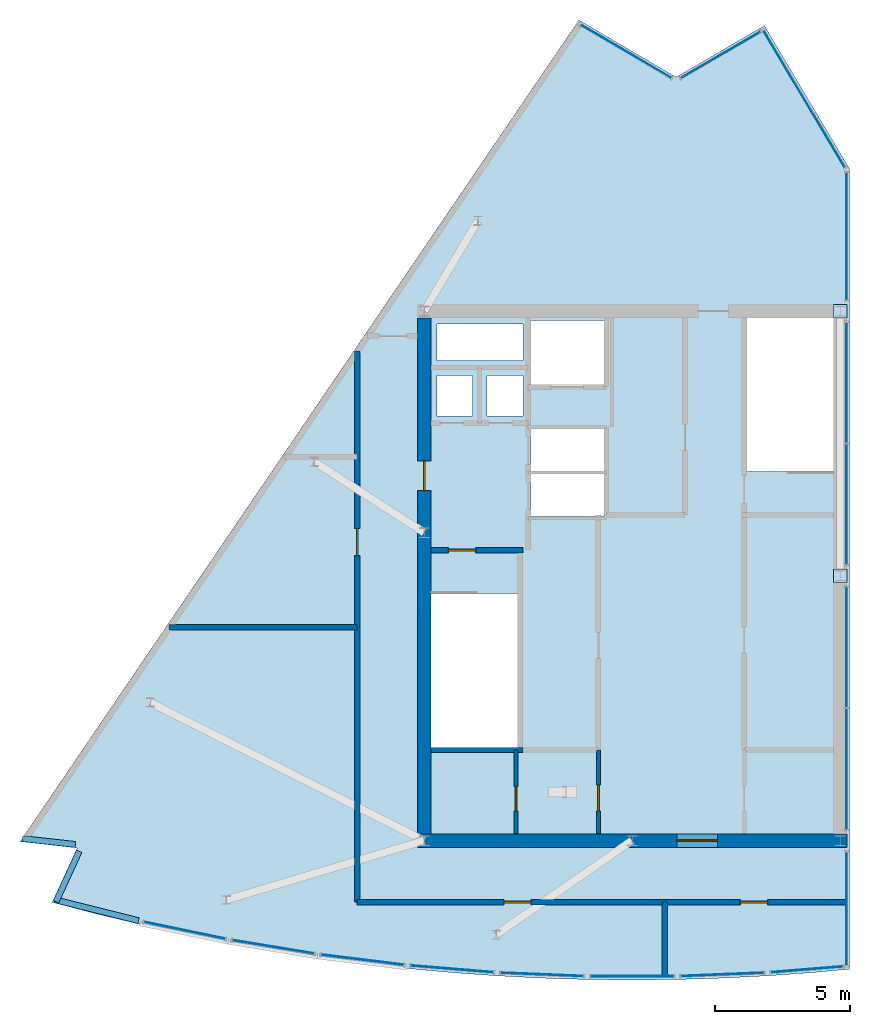
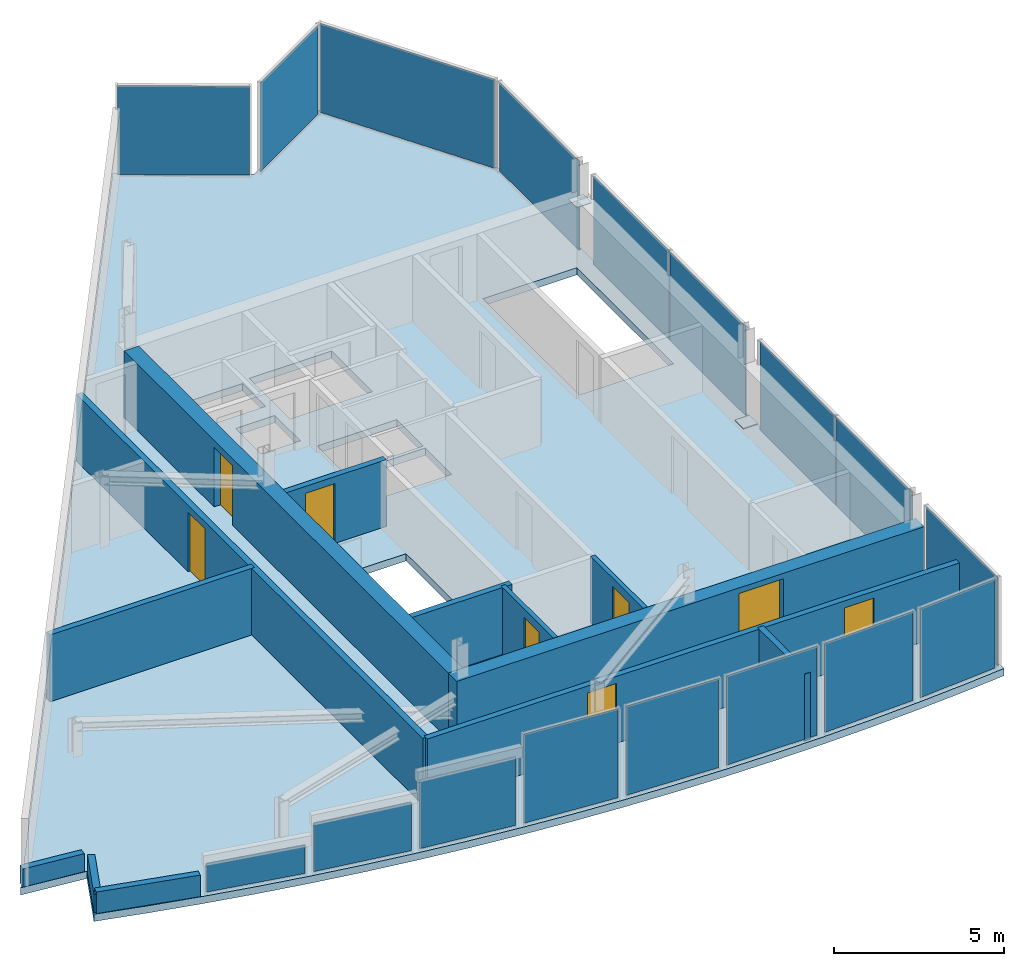
# One storey, part 4 of 7: 19 plates, 13 walls, 8 doors, 1 slab, 8 openings, 15 elements without a shape of their own.
"""IFC4 building model written with IfcOpenShell, lengths in metres."""

from ifc_helpers import new_model, si_unit, direction, frame, frame_2d, origin, origin_2d, place, context, subcontext, project, spatial, polyline, rectangle, outline, extrude, material, layer, layer_set, type_object, element, fill, aggregate, save


model = new_model("IFC4")

# Units and contexts
model_context = context("Model", 3, precision=1e-05, world=origin(), true_north=direction((0.0, 1.0)))
body_context = subcontext(model_context, "Body", "Model", "MODEL_VIEW")
ifc_project = project(units=[si_unit("LENGTHUNIT", "METRE"), si_unit("AREAUNIT", "SQUARE_METRE"), si_unit("VOLUMEUNIT", "CUBIC_METRE"), si_unit("PLANEANGLEUNIT", "RADIAN"), si_unit("MASSUNIT", "GRAM", prefix="KILO")], contexts=[model_context])

# Site, building, storey
site_placement = place(None, origin())
site = spatial("IfcSite", under=ifc_project, at=site_placement, CompositionType="ELEMENT")
building_placement = place(site_placement, origin())
building = spatial("IfcBuilding", under=site, at=building_placement, Name="Savorim Split Tower", CompositionType="ELEMENT")
storey_placement = place(building_placement, frame((0.0, 0.0, 319.199951171875)))
storey = spatial("IfcBuildingStorey", under=building, at=storey_placement, Name="Crown L85 Plant", CompositionType="ELEMENT", Elevation=319.199951171875)

# Curtain wall, plate
ifc_material_1 = material(Name="Dark Ceramic-Fritted Insulated Glass", Category="glass")
curtain_wall_type = type_object("IfcCurtainWallType", Name="CW-CROWN-CREST", PredefinedType="NOTDEFINED", material=ifc_material_1)
curtain_wall_1_placement = place(storey_placement, origin())
curtain_wall_1 = element("IfcCurtainWall", 1, at=curtain_wall_1_placement, inside=storey, type_object=curtain_wall_type, Name="Crown L85 Plant Curtain Wall CW-Crown-L85-Plant-W1AS1", PredefinedType="NOTDEFINED")
ifc_layer_1 = layer(ifc_material_1, 0.02587890625)
ifc_layer_set_1 = layer_set([ifc_layer_1], Name="CWP-FRITB-26")
plate_type_1 = type_object("IfcPlateType", Name="CWP-FRITB-26", PredefinedType="CURTAIN_PANEL", material=ifc_layer_set_1)
plate_1_placement = place(storey_placement, frame((7.929931640625, -11.924072265625, 0.050048828125), z_axis=(0.0, 0.0, 1.0), x_axis=(0.0, 1.0, 0.0)))
plate_1 = element("IfcPlate", 2, at=plate_1_placement, type_object=plate_type_1, Name="CW-07 panel 1.1", PredefinedType="CURTAIN_PANEL", context=body_context, shape_type="SweptSolid", body=[
    extrude(rectangle(XDim=4.1962890625, YDim=0.02587890625, at=origin_2d()), origin(), (0.0, 0.0, 1.0), 3.18994140625),
])
aggregate(curtain_wall_1, [plate_1])

# Curtain wall, plates
curtain_wall_2_placement = place(storey_placement, origin())
curtain_wall_2 = element("IfcCurtainWall", 3, at=curtain_wall_2_placement, inside=storey, type_object=curtain_wall_type, Name="Crown L85 Plant Curtain Wall CW-Crown-L85-Plant-W1AS2", PredefinedType="NOTDEFINED")
plate_2_placement = place(storey_placement, frame((7.929931640625, -6.751953125, 0.050048828125), z_axis=(0.0, 0.0, 1.0), x_axis=(0.0, 1.0, 0.0)))
plate_2 = element("IfcPlate", 4, at=plate_2_placement, type_object=plate_type_1, Name="CW-07 panel 1.1", PredefinedType="CURTAIN_PANEL", context=body_context, shape_type="SweptSolid", body=[
    extrude(rectangle(XDim=4.444091796875, YDim=0.02587890625, at=origin_2d()), origin(), (0.0, 0.0, 1.0), 3.18994140625),
])
plate_3_placement = place(storey_placement, frame((7.929931640625, -2.248046875, 0.050048828125), z_axis=(0.0, 0.0, 1.0), x_axis=(0.0, 1.0, 0.0)))
plate_3 = element("IfcPlate", 5, at=plate_3_placement, type_object=plate_type_1, Name="CW-07 panel 2.1", PredefinedType="CURTAIN_PANEL", context=body_context, shape_type="SweptSolid", body=[
    extrude(rectangle(XDim=4.444091796875, YDim=0.02587890625, at=origin_2d()), origin(), (0.0, 0.0, 1.0), 3.18994140625),
])
aggregate(curtain_wall_2, [plate_2, plate_3])

curtain_wall_3_placement = place(storey_placement, origin())
curtain_wall_3 = element("IfcCurtainWall", 6, at=curtain_wall_3_placement, inside=storey, type_object=curtain_wall_type, Name="Crown L85 Plant Curtain Wall CW-Crown-L85-Plant-W1AS3", PredefinedType="NOTDEFINED")
plate_4_placement = place(storey_placement, frame((7.929931640625, 3.048095703125, 0.050048828125), z_axis=(0.0, 0.0, 1.0), x_axis=(0.0, 1.0, 0.0)))
plate_4 = element("IfcPlate", 7, at=plate_4_placement, type_object=plate_type_1, Name="CW-07 panel 1.1", PredefinedType="CURTAIN_PANEL", context=body_context, shape_type="SweptSolid", body=[
    extrude(rectangle(XDim=4.444091796875, YDim=0.02587890625, at=origin_2d()), origin(), (0.0, 0.0, 1.0), 3.18994140625),
])
plate_5_placement = place(storey_placement, frame((7.929931640625, 7.552001953125, 0.050048828125), z_axis=(0.0, 0.0, 1.0), x_axis=(0.0, 1.0, 0.0)))
plate_5 = element("IfcPlate", 8, at=plate_5_placement, type_object=plate_type_1, Name="CW-07 panel 2.1", PredefinedType="CURTAIN_PANEL", context=body_context, shape_type="SweptSolid", body=[
    extrude(rectangle(XDim=4.444091796875, YDim=0.02587890625, at=origin_2d()), origin(), (0.0, 0.0, 1.0), 3.18994140625),
])
aggregate(curtain_wall_3, [plate_4, plate_5])

# Curtain wall, plate
curtain_wall_4_placement = place(storey_placement, origin())
curtain_wall_4 = element("IfcCurtainWall", 9, at=curtain_wall_4_placement, inside=storey, type_object=curtain_wall_type, Name="Crown L85 Plant Curtain Wall CW-Crown-L85-Plant-W1AS4", PredefinedType="NOTDEFINED")
plate_6_placement = place(storey_placement, frame((7.929931640625, 12.971435546875, 0.050048828125), z_axis=(0.0, 0.0, 1.0), x_axis=(0.0, 1.0, 0.0)))
plate_6 = element("IfcPlate", 10, at=plate_6_placement, type_object=plate_type_1, Name="CW-07 panel 1.1", PredefinedType="CURTAIN_PANEL", context=body_context, shape_type="SweptSolid", body=[
    extrude(rectangle(XDim=4.691162109375, YDim=0.02587890625, at=origin_2d()), origin(), (0.0, 0.0, 1.0), 3.18994140625),
])
aggregate(curtain_wall_4, [plate_6])

curtain_wall_5_placement = place(storey_placement, origin())
curtain_wall_5 = element("IfcCurtainWall", 11, at=curtain_wall_5_placement, inside=storey, type_object=curtain_wall_type, Name="Crown L85 Plant Curtain Wall CW-Crown-L85-Plant-W2A", PredefinedType="NOTDEFINED")
plate_7_placement = place(storey_placement, frame((6.368896484375, 18.04931640625, 0.050048828125), z_axis=(0.0, 0.0, 1.0), x_axis=(-0.511102947256, 0.859519503738, 0.0)))
plate_7 = element("IfcPlate", 12, at=plate_7_placement, type_object=plate_type_1, Name="CW-07 panel 1.1", PredefinedType="CURTAIN_PANEL", context=body_context, shape_type="SweptSolid", body=[
    extrude(rectangle(XDim=5.89453125, YDim=0.02587890625, at=origin_2d()), origin(), (0.0, 0.0, 1.0), 3.18994140625),
])
aggregate(curtain_wall_5, [plate_7])

curtain_wall_6_placement = place(storey_placement, origin())
curtain_wall_6 = element("IfcCurtainWall", 13, at=curtain_wall_6_placement, inside=storey, type_object=curtain_wall_type, Name="Crown L85 Plant Curtain Wall CW-Crown-L85-Plant-W3A", PredefinedType="NOTDEFINED")
plate_8_placement = place(storey_placement, frame((3.27490234375, 19.681640625, 0.050048828125), z_axis=(0.0, 0.0, 1.0), x_axis=(-0.863986025221, -0.503515787461, 0.0)))
plate_8 = element("IfcPlate", 14, at=plate_8_placement, type_object=plate_type_1, Name="CW-07 panel 1.1", PredefinedType="CURTAIN_PANEL", context=body_context, shape_type="SweptSolid", body=[
    extrude(rectangle(XDim=3.3984375, YDim=0.02587890625, at=origin_2d()), origin(), (0.0, 0.0, 1.0), 3.18994140625),
])
aggregate(curtain_wall_6, [plate_8])

curtain_wall_7_placement = place(storey_placement, origin())
curtain_wall_7 = element("IfcCurtainWall", 15, at=curtain_wall_7_placement, inside=storey, type_object=curtain_wall_type, Name="Crown L85 Plant Curtain Wall CW-Crown-L85-Plant-W4A", PredefinedType="NOTDEFINED")
plate_9_placement = place(storey_placement, frame((-0.234130859375, 19.81298828125, 0.050048828125), z_axis=(0.0, 0.0, 1.0), x_axis=(-0.86212378658, 0.506697717198, 0.0)))
plate_9 = element("IfcPlate", 16, at=plate_9_placement, type_object=plate_type_1, Name="CW-07 panel 1.1", PredefinedType="CURTAIN_PANEL", context=body_context, shape_type="SweptSolid", body=[
    extrude(rectangle(XDim=3.892578125, YDim=0.02587890625, at=origin_2d()), origin(), (0.0, 0.0, 1.0), 3.18994140625),
])
aggregate(curtain_wall_7, [plate_9])

curtain_wall_8_placement = place(storey_placement, origin())
curtain_wall_8 = element("IfcCurtainWall", 17, at=curtain_wall_8_placement, inside=storey, type_object=curtain_wall_type, Name="Crown L85 Plant Curtain Wall CW-Crown-L85-Plant-W9A", PredefinedType="NOTDEFINED")
plate_10_placement = place(storey_placement, frame((-16.56787109375, -12.72412109375, 0.0498046875), z_axis=(0.0, 0.0, 1.0), x_axis=(0.97913985371, -0.203187467323, 0.0)))
plate_10 = element("IfcPlate", 18, at=plate_10_placement, type_object=plate_type_1, Name="CW-07 panel 1.1", PredefinedType="CURTAIN_PANEL", context=body_context, shape_type="SweptSolid", body=[
    extrude(rectangle(XDim=3.062255859375, YDim=0.02587890625, at=origin_2d()), origin(), (0.0, 0.0, 1.0), 1.017333984375),
])
aggregate(curtain_wall_8, [plate_10])

curtain_wall_9_placement = place(storey_placement, origin())
curtain_wall_9 = element("IfcCurtainWall", 19, at=curtain_wall_9_placement, inside=storey, type_object=curtain_wall_type, Name="Crown L85 Plant Curtain Wall CW-Crown-L85-Plant-W10A", PredefinedType="NOTDEFINED")
plate_11_placement = place(storey_placement, frame((-13.28759765625, -13.335205078125, 0.050048828125), z_axis=(0.0, 0.0, 1.0), x_axis=(0.986625651925, -0.163002524407, 0.0)))
plate_11 = element("IfcPlate", 20, at=plate_11_placement, type_object=plate_type_1, Name="CW-07 panel 1.1", PredefinedType="CURTAIN_PANEL", context=body_context, shape_type="SweptSolid", body=[
    extrude(rectangle(XDim=3.062255859375, YDim=0.02587890625, at=origin_2d()), origin(), (0.0, 0.0, 1.0), 1.736328125),
])
aggregate(curtain_wall_9, [plate_11])

curtain_wall_10_placement = place(storey_placement, origin())
curtain_wall_10 = element("IfcCurtainWall", 21, at=curtain_wall_10_placement, inside=storey, type_object=curtain_wall_type, Name="Crown L85 Plant Curtain Wall CW-Crown-L85-Plant-W11A", PredefinedType="NOTDEFINED")
plate_12_placement = place(storey_placement, frame((-9.9853515625, -13.8115234375, 0.05029296875), z_axis=(0.0, 0.0, 1.0), x_axis=(0.992472921283, -0.122464282633, 0.0)))
plate_12 = element("IfcPlate", 22, at=plate_12_placement, type_object=plate_type_1, Name="CW-07 panel 1.1", PredefinedType="CURTAIN_PANEL", context=body_context, shape_type="SweptSolid", body=[
    extrude(rectangle(XDim=3.062255859375, YDim=0.02587890625, at=origin_2d()), origin(), (0.0, 0.0, 1.0), 2.460693359375),
])
aggregate(curtain_wall_10, [plate_12])

curtain_wall_11_placement = place(storey_placement, origin())
curtain_wall_11 = element("IfcCurtainWall", 23, at=curtain_wall_11_placement, inside=storey, type_object=curtain_wall_type, Name="Crown L85 Plant Curtain Wall CW-Crown-L85-Plant-W12A", PredefinedType="NOTDEFINED")
plate_13_placement = place(storey_placement, frame((-6.666259765625, -14.15234375, 0.0498046875), z_axis=(0.0, 0.0, 1.0), x_axis=(0.996649001261, -0.081797116604, 0.0)))
plate_13 = element("IfcPlate", 24, at=plate_13_placement, type_object=plate_type_1, Name="CW-07 panel 1.1", PredefinedType="CURTAIN_PANEL", context=body_context, shape_type="SweptSolid", body=[
    extrude(rectangle(XDim=3.062255859375, YDim=0.02587890625, at=origin_2d()), origin(), (0.0, 0.0, 1.0), 3.189697265625),
])
aggregate(curtain_wall_11, [plate_13])

curtain_wall_12_placement = place(storey_placement, origin())
curtain_wall_12 = element("IfcCurtainWall", 25, at=curtain_wall_12_placement, inside=storey, type_object=curtain_wall_type, Name="Crown L85 Plant Curtain Wall CW-Crown-L85-Plant-W13A", PredefinedType="NOTDEFINED")
plate_14_placement = place(storey_placement, frame((-3.3359375, -14.35693359375, 0.050048828125), z_axis=(0.0, 0.0, 1.0), x_axis=(0.999163945259, -0.040882887558, 0.0)))
plate_14 = element("IfcPlate", 26, at=plate_14_placement, type_object=plate_type_1, Name="CW-07 panel 1.1", PredefinedType="CURTAIN_PANEL", context=body_context, shape_type="SweptSolid", body=[
    extrude(rectangle(XDim=3.062255859375, YDim=0.02587890625, at=origin_2d()), origin(), (0.0, 0.0, 1.0), 3.18994140625),
])
aggregate(curtain_wall_12, [plate_14])

curtain_wall_13_placement = place(storey_placement, origin())
curtain_wall_13 = element("IfcCurtainWall", 27, at=curtain_wall_13_placement, inside=storey, type_object=curtain_wall_type, Name="Crown L85 Plant Curtain Wall CW-Crown-L85-Plant-W14A", PredefinedType="NOTDEFINED")
plate_15_placement = place(storey_placement, frame((0.0, -14.42529296875, 0.050048828125), z_axis=(0.0, 0.0, 1.0), x_axis=(1.0, 0.0, 0.0)))
plate_15 = element("IfcPlate", 28, at=plate_15_placement, type_object=plate_type_1, Name="CW-07 panel 1.1", PredefinedType="CURTAIN_PANEL", context=body_context, shape_type="SweptSolid", body=[
    extrude(rectangle(XDim=3.062255859375, YDim=0.02587890625, at=origin_2d()), origin(), (0.0, 0.0, 1.0), 3.18994140625),
])
aggregate(curtain_wall_13, [plate_15])

curtain_wall_14_placement = place(storey_placement, origin())
curtain_wall_14 = element("IfcCurtainWall", 29, at=curtain_wall_14_placement, inside=storey, type_object=curtain_wall_type, Name="Crown L85 Plant Curtain Wall CW-Crown-L85-Plant-W15A", PredefinedType="NOTDEFINED")
plate_16_placement = place(storey_placement, frame((3.3359375, -14.35693359375, 0.050048828125), z_axis=(0.0, 0.0, 1.0), x_axis=(0.999163945259, 0.040882887558, 0.0)))
plate_16 = element("IfcPlate", 30, at=plate_16_placement, type_object=plate_type_1, Name="CW-07 panel 1.1", PredefinedType="CURTAIN_PANEL", context=body_context, shape_type="SweptSolid", body=[
    extrude(rectangle(XDim=3.062255859375, YDim=0.02587890625, at=origin_2d()), origin(), (0.0, 0.0, 1.0), 3.18994140625),
])
aggregate(curtain_wall_14, [plate_16])

curtain_wall_15_placement = place(storey_placement, origin())
curtain_wall_15 = element("IfcCurtainWall", 31, at=curtain_wall_15_placement, inside=storey, type_object=curtain_wall_type, Name="Crown L85 Plant Curtain Wall CW-Crown-L85-Plant-W16A", PredefinedType="NOTDEFINED")
plate_17_placement = place(storey_placement, frame((6.46826171875, -14.170166015625, 0.050048828125), z_axis=(0.0, 0.0, 1.0), x_axis=(0.996732878076, 0.080768618674, 0.0)))
plate_17 = element("IfcPlate", 32, at=plate_17_placement, type_object=plate_type_1, Name="CW-07 panel 1.1", PredefinedType="CURTAIN_PANEL", context=body_context, shape_type="SweptSolid", body=[
    extrude(rectangle(XDim=2.66455078125, YDim=0.02587890625, at=origin_2d()), origin(), (0.0, 0.0, 1.0), 3.18994140625),
])
aggregate(curtain_wall_15, [plate_17])

# Plates
ifc_material_2 = material(Name="Steel S460", Category="steel")
ifc_layer_2 = layer(ifc_material_2, 0.02490234375)
ifc_layer_set_2 = layer_set([ifc_layer_2], Name="PLT-NODE-CN1")
plate_type_2 = type_object("IfcPlateType", Name="PLT-NODE-CN1", PredefinedType="SHEET", material=ifc_layer_set_2)
for number, where, z_axis, x_axis, name in (
    (33, (7.699951171875, 0.39990234375, 0.1376953125), (0.0, 0.0, 1.0), (1.0, 0.0, 0.0), "Crown L85 Plant Crown Spine Base Gusset Plate CN1"),
    (34, (7.699951171875, 10.199951171875, 2.1376953125), (0.0, 0.0, 1.0), (1.0, 0.0, 0.0), "Crown L85 Plant Crown Spine Top Gusset Plate CN2"),
):
    element("IfcPlate", number, at=place(storey_placement, frame(where, z_axis=z_axis, x_axis=x_axis)), inside=storey, type_object=plate_type_2, Name=name, PredefinedType="SHEET", context=body_context, shape_type="SweptSolid", body=[
        extrude(rectangle(XDim=0.5, YDim=0.5, at=origin_2d()), origin(), (0.0, 0.0, 1.0), 0.02490234375),
    ])

# Slab
ifc_material_3 = material(Name="Concrete C50/60", Category="concrete")
ifc_layer_3 = layer(ifc_material_3, 0.260009765625)
ifc_layer_set_3 = layer_set([ifc_layer_3], Name="SLB-CRN-260")
slab_type = type_object("IfcSlabType", Name="SLB-CRN-260", PredefinedType="FLOOR", material=ifc_layer_set_3)
slab_placement = place(storey_placement, frame((0.0, 0.0, -0.260009765625)))
element("IfcSlab", 35, at=slab_placement, inside=storey, type_object=slab_type, Name="Crown L85 Plant West Split Crown Floor Slab", PredefinedType="FLOOR", context=body_context, shape_type="SweptSolid", body=[
    extrude(outline(polyline([(8.050048828125, -14.162109375), (8.050048828125, 15.45703125), (4.894287109375, 20.764404296875), (1.62548828125, 18.859130859375), (-1.971923828125, 20.973388671875), (-22.6611328125, -9.439208984375), (-20.545166015625, -9.675537109375), (-21.470458984375, -11.689697265625), (-19.853515625, -12.1123046875), (-18.228515625, -12.502197265625), (-16.595703125, -12.8583984375), (-14.9560546875, -13.181396484375), (-13.31005859375, -13.470458984375), (-11.658447265625, -13.72607421875), (-10.002197265625, -13.947509765625), (-8.341552734375, -14.13525390625), (-6.677490234375, -14.2890625), (-5.010498046875, -14.40869140625), (-3.341552734375, -14.493896484375), (-1.671142578125, -14.54541015625), (0.0, -14.5625), (1.671142578125, -14.54541015625), (3.341552734375, -14.493896484375), (5.010498046875, -14.40869140625), (6.677490234375, -14.2890625), (8.050048828125, -14.162109375)]), holes=[polyline([(-7.449951171875, -0.25390625), (-7.449951171875, -5.949951171875), (-4.25, -5.949951171875), (-4.25, -0.25390625), (-7.449951171875, -0.25390625)]), polyline([(7.449951171875, 4.25390625), (7.449951171875, 9.949951171875), (4.25, 9.949951171875), (4.25, 4.25390625), (7.449951171875, 4.25390625)]), polyline([(-3.75, 2.60009765625), (-1.050048828125, 2.60009765625), (-1.050048828125, 4.159912109375), (-3.75, 4.159912109375), (-3.75, 2.60009765625)]), polyline([(-3.75, 4.280029296875), (-1.050048828125, 4.280029296875), (-1.050048828125, 5.840087890625), (-3.75, 5.840087890625), (-3.75, 4.280029296875)]), polyline([(-3.75, 7.449951171875), (-0.949951171875, 7.449951171875), (-0.949951171875, 9.85009765625), (-3.75, 9.85009765625), (-3.75, 7.449951171875)]), polyline([(-7.219970703125, 6.320068359375), (-5.919921875, 6.320068359375), (-5.919921875, 7.820068359375), (-7.219970703125, 7.820068359375), (-7.219970703125, 6.320068359375)]), polyline([(-5.3798828125, 6.320068359375), (-4.050048828125, 6.320068359375), (-4.050048828125, 7.820068359375), (-5.3798828125, 7.820068359375), (-5.3798828125, 6.320068359375)]), polyline([(-7.219970703125, 8.360107421875), (-4.050048828125, 8.360107421875), (-4.050048828125, 9.719970703125), (-7.219970703125, 9.719970703125), (-7.219970703125, 8.360107421875)])]), origin(), (0.0, 0.0, 1.0), 0.260009765625),
])

# Wall, opening, door
ifc_material_4 = material(Name="Concrete C60/75", Category="concrete")
ifc_layer_4 = layer(ifc_material_4, 0.5)
ifc_layer_set_4 = layer_set([ifc_layer_4], Name="WAL-COR-SH500")
wall_type_1 = type_object("IfcWallType", Name="WAL-COR-SH500", PredefinedType="SHEAR", material=ifc_layer_set_4)
wall_1_placement = place(storey_placement, frame((-7.949951171875, -9.39990234375, 0.0), z_axis=(0.0, 0.0, 1.0), x_axis=(1.0, 0.0, 0.0)))
wall_1 = element("IfcWall", 36, at=wall_1_placement, inside=storey, type_object=wall_type_1, Name="Crown L85 Plant Offset Core South Shear Wall", PredefinedType="SHEAR", context=body_context, shape_type="SweptSolid", body=[
    extrude(rectangle(XDim=15.89990234375, YDim=0.5, at=frame_2d((7.949951171875, 0.0))), origin(), (0.0, 0.0, 1.0), 2.400146484375),
])
opening_1_placement = place(wall_1_placement, frame((9.60009765625, 0.0, 0.0)))
opening_1 = element("IfcOpeningElement", 37, at=opening_1_placement, cuts=wall_1, Name="Opening DI-02", PredefinedType="OPENING", context=body_context, shape_type="SweptSolid", body=[
    extrude(rectangle(XDim=1.5, YDim=2.199951171875, at=frame_2d((0.75, 1.10009765625))), frame((0.0, 0.260009765625, 0.0), z_axis=(0.0, -1.0, 0.0), x_axis=(1.0, 0.0, 0.0)), (0.0, 0.0, 1.0), 0.52001953125),
])
ifc_material_5 = material(Name="Timber Fire Door Leaf", Category="wood")
door_type_1 = type_object("IfcDoorType", Name="DOR-DBL-1500", OperationType="NOTDEFINED", PredefinedType="DOOR", material=ifc_material_5)
door_1_placement = place(opening_1_placement, origin())
door_1 = element("IfcDoor", 38, at=door_1_placement, inside=storey, type_object=door_type_1, Name="DOR-Crown-L85-Plant-COR-LLOB - Crown L85 Plant Lift Lobby Main Rated Door", OperationType="DOUBLE_DOOR_SINGLE_SWING", OverallHeight=2.199951171875, OverallWidth=1.5, PredefinedType="DOOR", context=body_context, shape_type="SweptSolid", body=[
    extrude(rectangle(XDim=1.5, YDim=2.199951171875, at=frame_2d((0.75, 1.10009765625))), frame((0.0, 0.02490234375, 0.0), z_axis=(0.0, -1.0, 0.0), x_axis=(1.0, 0.0, 0.0)), (0.0, 0.0, 1.0), 0.050048828125),
])
fill(opening_1, door_1)

wall_2_placement = place(storey_placement, frame((-7.699951171875, -9.14990234375, 0.0), z_axis=(0.0, 0.0, 1.0), x_axis=(0.0, 1.0, 0.0)))
wall_2 = element("IfcWall", 39, at=wall_2_placement, inside=storey, type_object=wall_type_1, Name="Crown L85 Plant Offset Core West Shear Wall", PredefinedType="SHEAR", context=body_context, shape_type="SweptSolid", body=[
    extrude(rectangle(XDim=19.099853515625, YDim=0.5, at=frame_2d((9.5498046875, 0.0))), origin(), (0.0, 0.0, 1.0), 2.400146484375),
])
opening_2_placement = place(wall_2_placement, frame((12.699951171875, 0.0, 0.0)))
opening_2 = element("IfcOpeningElement", 40, at=opening_2_placement, cuts=wall_2, Name="Opening DI-03", PredefinedType="OPENING", context=body_context, shape_type="SweptSolid", body=[
    extrude(rectangle(XDim=1.10009765625, YDim=2.14990234375, at=frame_2d((0.550048828125, 1.074951171875))), frame((0.0, 0.260009765625, 0.0), z_axis=(0.0, -1.0, 0.0), x_axis=(1.0, 0.0, 0.0)), (0.0, 0.0, 1.0), 0.52001953125),
])
door_type_2 = type_object("IfcDoorType", Name="DOR-FIR-1100", OperationType="NOTDEFINED", PredefinedType="DOOR", material=ifc_material_5)
door_2_placement = place(opening_2_placement, origin())
door_2 = element("IfcDoor", 41, at=door_2_placement, inside=storey, type_object=door_type_2, Name="DOR-Crown-L85-Plant-COR-FFLOB - Crown L85 Plant Firefighting Lobby Corridor Door", OperationType="SINGLE_SWING_LEFT", OverallHeight=2.14990234375, OverallWidth=1.10009765625, PredefinedType="DOOR", context=body_context, shape_type="SweptSolid", body=[
    extrude(rectangle(XDim=1.10009765625, YDim=2.14990234375, at=frame_2d((0.550048828125, 1.074951171875))), frame((0.0, 0.02490234375, 0.0), z_axis=(0.0, -1.0, 0.0), x_axis=(1.0, 0.0, 0.0)), (0.0, 0.0, 1.0), 0.050048828125),
])
fill(opening_2, door_2)

# Walls
ifc_material_6 = material(Name="Precast concrete C40/50", Category="concrete")
ifc_layer_5 = layer(ifc_material_6, 0.219970703125)
ifc_layer_set_5 = layer_set([ifc_layer_5], Name="WAL-EXT-CRN220")
wall_type_2 = type_object("IfcWallType", Name="WAL-EXT-CRN220", PredefinedType="SOLIDWALL", material=ifc_layer_set_5)
wall_3_placement = place(storey_placement, frame((-20.611328125, -9.547607421875, 0.0), z_axis=(0.0, 0.0, 1.0), x_axis=(-0.993810947327, 0.111084656787, 0.0)))
element("IfcWall", 42, at=wall_3_placement, inside=storey, type_object=wall_type_2, Name="Crown L85 Plant Sloped Crest Eaves Wall W6", PredefinedType="SOLIDWALL", context=body_context, shape_type="SweptSolid", body=[
    extrude(rectangle(XDim=1.96923828125, YDim=0.219970703125, at=frame_2d((0.984619140625, 0.0))), origin(), (0.0, 0.0, 1.0), 0.650146484375),
])
wall_4_placement = place(storey_placement, frame((-21.327880859375, -11.6669921875, 0.0), z_axis=(0.0, 0.0, 1.0), x_axis=(0.417431285032, 0.908708491364, 0.0)))
element("IfcWall", 43, at=wall_4_placement, inside=storey, type_object=wall_type_2, Name="Crown L85 Plant Sloped Crest Eaves Wall W7", PredefinedType="SOLIDWALL", context=body_context, shape_type="SweptSolid", body=[
    extrude(rectangle(XDim=2.056396484375, YDim=0.219970703125, at=frame_2d((1.0283203125, 0.0))), origin(), (0.0, 0.0, 1.0), 0.650146484375),
])
wall_5_placement = place(storey_placement, frame((-18.27685546875, -12.3662109375, 0.0), z_axis=(0.0, 0.0, 1.0), x_axis=(-0.96999338674, 0.243131301319, 0.0)))
element("IfcWall", 44, at=wall_5_placement, inside=storey, type_object=wall_type_2, Name="Crown L85 Plant Sloped Crest Eaves Wall W8", PredefinedType="SOLIDWALL", context=body_context, shape_type="SweptSolid", body=[
    extrude(rectangle(XDim=3.18212890625, YDim=0.219970703125, at=frame_2d((1.591064453125, 0.0))), origin(), (0.0, 0.0, 1.0), 0.774658203125),
])

# Wall, opening, door
ifc_layer_6 = layer(ifc_material_3, 0.199951171875)
ifc_layer_set_6 = layer_set([ifc_layer_6], Name="WAL-INT-RC200")
wall_type_3 = type_object("IfcWallType", Name="WAL-INT-RC200", PredefinedType="SOLIDWALL", material=ifc_layer_set_6)
wall_6_placement = place(storey_placement, frame((-7.449951171875, 1.35009765625, 0.0), z_axis=(0.0, 0.0, 1.0), x_axis=(1.0, 0.0, 0.0)))
wall_6 = element("IfcWall", 45, at=wall_6_placement, inside=storey, type_object=wall_type_3, Name="Crown L85 Plant Structural Shaft Wall W-Crown-L85-Plant-CR01", PredefinedType="SOLIDWALL", context=body_context, shape_type="SweptSolid", body=[
    extrude(rectangle(XDim=3.39990234375, YDim=0.199951171875, at=frame_2d((1.699951171875, 0.0))), origin(), (0.0, 0.0, 1.0), 2.400146484375),
])
opening_3_placement = place(wall_6_placement, frame((0.64990234375, 0.0, 0.0)))
opening_3 = element("IfcOpeningElement", 46, at=opening_3_placement, cuts=wall_6, Name="Opening DI-04", PredefinedType="OPENING", context=body_context, shape_type="SweptSolid", body=[
    extrude(rectangle(XDim=1.0, YDim=2.14990234375, at=frame_2d((0.5, 1.074951171875))), frame((0.0, 0.10986328125, 0.0), z_axis=(0.0, -1.0, 0.0), x_axis=(1.0, 0.0, 0.0)), (0.0, 0.0, 1.0), 0.219970703125),
])
door_type_3 = type_object("IfcDoorType", Name="DOR-FIR-1000", OperationType="NOTDEFINED", PredefinedType="DOOR", material=ifc_material_5)
door_3_placement = place(opening_3_placement, origin())
door_3 = element("IfcDoor", 47, at=door_3_placement, inside=storey, type_object=door_type_3, Name="DR-Crown-L85-Plant-ST1 - Crown L85 Plant Stair ST-1 Enclosure Door", OperationType="SINGLE_SWING_LEFT", OverallHeight=2.14990234375, OverallWidth=1.0, PredefinedType="DOOR", context=body_context, shape_type="SweptSolid", body=[
    extrude(rectangle(XDim=1.0, YDim=2.14990234375, at=frame_2d((0.5, 1.074951171875))), frame((0.0, 0.02490234375, 0.0), z_axis=(0.0, -1.0, 0.0), x_axis=(1.0, 0.0, 0.0)), (0.0, 0.0, 1.0), 0.050048828125),
])
fill(opening_3, door_3)

# Wall
wall_7_placement = place(storey_placement, frame((-7.449951171875, -6.050048828125, 0.0), z_axis=(0.0, 0.0, 1.0), x_axis=(1.0, 0.0, 0.0)))
element("IfcWall", 48, at=wall_7_placement, inside=storey, type_object=wall_type_3, Name="Crown L85 Plant Structural Shaft Wall W-Crown-L85-Plant-KSEP-W", PredefinedType="SOLIDWALL", context=body_context, shape_type="SweptSolid", body=[
    extrude(rectangle(XDim=3.39990234375, YDim=0.199951171875, at=frame_2d((1.699951171875, 0.0))), origin(), (0.0, 0.0, 1.0), 2.400146484375),
])

# Wall, opening, door
wall_8_placement = place(storey_placement, frame((-10.179931640625, -11.679931640625, 0.0), z_axis=(0.0, 0.0, 1.0), x_axis=(0.0, 1.0, 0.0)))
wall_8 = element("IfcWall", 49, at=wall_8_placement, inside=storey, type_object=wall_type_3, Name="Crown L85 Plant Partition W-Crown-L85-Plant-CWPC1", PredefinedType="SOLIDWALL", context=body_context, shape_type="SweptSolid", body=[
    extrude(rectangle(XDim=20.409912109375, YDim=0.199951171875, at=frame_2d((10.205078125, 0.0))), origin(), (0.0, 0.0, 1.0), 2.400146484375),
])
opening_4_placement = place(wall_8_placement, frame((12.830078125, 0.0, 0.0)))
opening_4 = element("IfcOpeningElement", 50, at=opening_4_placement, cuts=wall_8, Name="Opening DI-04", PredefinedType="OPENING", context=body_context, shape_type="SweptSolid", body=[
    extrude(rectangle(XDim=1.0, YDim=2.14990234375, at=frame_2d((0.5, 1.074951171875))), frame((0.0, 0.10986328125, 0.0), z_axis=(0.0, -1.0, 0.0), x_axis=(1.0, 0.0, 0.0)), (0.0, 0.0, 1.0), 0.219970703125),
])
door_4_placement = place(opening_4_placement, origin())
door_4 = element("IfcDoor", 51, at=door_4_placement, inside=storey, type_object=door_type_3, Name="DR-Crown-L85-Plant-RM04 - Crown L85 Plant Smoke Extract Fan Plant Room Entry Door", OperationType="SINGLE_SWING_LEFT", OverallHeight=2.14990234375, OverallWidth=1.0, PredefinedType="DOOR", context=body_context, shape_type="SweptSolid", body=[
    extrude(rectangle(XDim=1.0, YDim=2.14990234375, at=frame_2d((0.5, 1.074951171875))), frame((0.0, 0.02490234375, 0.0), z_axis=(0.0, -1.0, 0.0), x_axis=(1.0, 0.0, 0.0)), (0.0, 0.0, 1.0), 0.050048828125),
])
fill(opening_4, door_4)

# Wall, openings, doors
wall_9_placement = place(storey_placement, frame((-10.179931640625, -11.679931640625, 0.0), z_axis=(0.0, 0.0, 1.0), x_axis=(1.0, 0.0, 0.0)))
wall_9 = element("IfcWall", 52, at=wall_9_placement, inside=storey, type_object=wall_type_3, Name="Crown L85 Plant Partition W-Crown-L85-Plant-CWPC2", PredefinedType="SOLIDWALL", context=body_context, shape_type="SweptSolid", body=[
    extrude(rectangle(XDim=18.1298828125, YDim=0.199951171875, at=frame_2d((9.06494140625, 0.0))), origin(), (0.0, 0.0, 1.0), 2.400146484375),
])
opening_5_placement = place(wall_9_placement, frame((5.436279296875, 0.0, 0.0)))
opening_5 = element("IfcOpeningElement", 53, at=opening_5_placement, cuts=wall_9, Name="Opening DI-04", PredefinedType="OPENING", context=body_context, shape_type="SweptSolid", body=[
    extrude(rectangle(XDim=1.0, YDim=2.14990234375, at=frame_2d((0.5, 1.074951171875))), frame((0.0, 0.10986328125, 0.0), z_axis=(0.0, -1.0, 0.0), x_axis=(1.0, 0.0, 0.0)), (0.0, 0.0, 1.0), 0.219970703125),
])
opening_6_placement = place(wall_9_placement, frame((14.188720703125, 0.0, 0.0)))
opening_6 = element("IfcOpeningElement", 54, at=opening_6_placement, cuts=wall_9, Name="Opening DI-04", PredefinedType="OPENING", context=body_context, shape_type="SweptSolid", body=[
    extrude(rectangle(XDim=1.0, YDim=2.14990234375, at=frame_2d((0.5, 1.074951171875))), frame((0.0, 0.10986328125, 0.0), z_axis=(0.0, -1.0, 0.0), x_axis=(1.0, 0.0, 0.0)), (0.0, 0.0, 1.0), 0.219970703125),
])
door_5_placement = place(opening_5_placement, origin())
door_5 = element("IfcDoor", 55, at=door_5_placement, inside=storey, type_object=door_type_3, Name="DR-Crown-L85-Plant-RM01 - Crown L85 Plant AHU Mechanical Plant Room Entry Door", OperationType="SINGLE_SWING_RIGHT", OverallHeight=2.14990234375, OverallWidth=1.0, PredefinedType="DOOR", context=body_context, shape_type="SweptSolid", body=[
    extrude(rectangle(XDim=1.0, YDim=2.14990234375, at=frame_2d((0.5, 1.074951171875))), frame((0.0, 0.02490234375, 0.0), z_axis=(0.0, -1.0, 0.0), x_axis=(1.0, 0.0, 0.0)), (0.0, 0.0, 1.0), 0.050048828125),
])
fill(opening_5, door_5)
door_6_placement = place(opening_6_placement, origin())
door_6 = element("IfcDoor", 56, at=door_6_placement, inside=storey, type_object=door_type_3, Name="DR-Crown-L85-Plant-RM02 - Crown L85 Plant Chiller Plant Room Entry Door", OperationType="SINGLE_SWING_LEFT", OverallHeight=2.14990234375, OverallWidth=1.0, PredefinedType="DOOR", context=body_context, shape_type="SweptSolid", body=[
    extrude(rectangle(XDim=1.0, YDim=2.14990234375, at=frame_2d((0.5, 1.074951171875))), frame((0.0, 0.02490234375, 0.0), z_axis=(0.0, -1.0, 0.0), x_axis=(1.0, 0.0, 0.0)), (0.0, 0.0, 1.0), 0.050048828125),
])
fill(opening_6, door_6)

# Walls
wall_10_placement = place(storey_placement, frame((-17.139404296875, -1.5, 0.0), z_axis=(0.0, 0.0, 1.0), x_axis=(1.0, 0.0, 0.0)))
element("IfcWall", 57, at=wall_10_placement, inside=storey, type_object=wall_type_3, Name="Crown L85 Plant Partition W-Crown-L85-Plant-CDIV1", PredefinedType="SOLIDWALL", context=body_context, shape_type="SweptSolid", body=[
    extrude(rectangle(XDim=6.95947265625, YDim=0.199951171875, at=frame_2d((3.479736328125, 0.0))), origin(), (0.0, 0.0, 1.0), 2.400146484375),
])
wall_11_placement = place(storey_placement, frame((1.199951171875, -14.4501953125, 0.0), z_axis=(0.0, 0.0, 1.0), x_axis=(0.0, 1.0, 0.0)))
element("IfcWall", 58, at=wall_11_placement, inside=storey, type_object=wall_type_3, Name="Crown L85 Plant Partition W-Crown-L85-Plant-CDIVS", PredefinedType="SOLIDWALL", context=body_context, shape_type="SweptSolid", body=[
    extrude(rectangle(XDim=2.770263671875, YDim=0.199951171875, at=frame_2d((1.38525390625, 0.0))), origin(), (0.0, 0.0, 1.0), 2.400146484375),
])

# Wall, opening, door
ifc_material_7 = material(Name="Acoustic Gypsum Partition Board")
ifc_layer_7 = layer(ifc_material_7, 0.14990234375)
ifc_layer_set_7 = layer_set([ifc_layer_7], Name="WAL-PAR-150")
wall_type_4 = type_object("IfcWallType", Name="WAL-PAR-150", PredefinedType="PARTITIONING", material=ifc_layer_set_7)
wall_12_placement = place(storey_placement, frame((-1.25, -9.14501953125, 0.0), z_axis=(0.0, 0.0, 1.0), x_axis=(0.0, 1.0, 0.0)))
wall_12 = element("IfcWall", 59, at=wall_12_placement, inside=storey, type_object=wall_type_4, Name="Crown L85 Plant Partition W-Crown-L85-Plant-KLOB-W", PredefinedType="PARTITIONING", context=body_context, shape_type="SweptSolid", body=[
    extrude(rectangle(XDim=3.094970703125, YDim=0.14990234375, at=frame_2d((1.54736328125, 0.0))), origin(), (0.0, 0.0, 1.0), 2.400146484375),
])
opening_7_placement = place(wall_12_placement, frame((0.844970703125, 0.0, 0.0)))
opening_7 = element("IfcOpeningElement", 60, at=opening_7_placement, cuts=wall_12, Name="Opening DI-10", PredefinedType="OPENING", context=body_context, shape_type="SweptSolid", body=[
    extrude(rectangle(XDim=0.949951171875, YDim=2.10009765625, at=frame_2d((0.47509765625, 1.050048828125))), frame((0.0, 0.0849609375, 0.0), z_axis=(0.0, -1.0, 0.0), x_axis=(1.0, 0.0, 0.0)), (0.0, 0.0, 1.0), 0.169921875),
])
ifc_material_8 = material(Name="Oak Veneer Acoustic Door")
door_type_4 = type_object("IfcDoorType", Name="DOR-WC-950", OperationType="NOTDEFINED", PredefinedType="DOOR", material=ifc_material_8)
door_7_placement = place(opening_7_placement, origin())
door_7 = element("IfcDoor", 61, at=door_7_placement, inside=storey, type_object=door_type_4, Name="DR-Crown-L85-Plant-K1WC - Crown L85 Plant Core Accessible WC Door", OperationType="SINGLE_SWING_LEFT", OverallHeight=2.10009765625, OverallWidth=0.949951171875, PredefinedType="DOOR", context=body_context, shape_type="SweptSolid", body=[
    extrude(rectangle(XDim=0.949951171875, YDim=2.10009765625, at=frame_2d((0.47509765625, 1.050048828125))), frame((0.0, 0.02490234375, 0.0), z_axis=(0.0, -1.0, 0.0), x_axis=(1.0, 0.0, 0.0)), (0.0, 0.0, 1.0), 0.050048828125),
])
fill(opening_7, door_7)

wall_13_placement = place(storey_placement, frame((-4.300048828125, -9.14501953125, 0.0), z_axis=(0.0, 0.0, 1.0), x_axis=(0.0, 1.0, 0.0)))
wall_13 = element("IfcWall", 62, at=wall_13_placement, inside=storey, type_object=wall_type_4, Name="Crown L85 Plant Partition W-Crown-L85-Plant-K1W", PredefinedType="PARTITIONING", context=body_context, shape_type="SweptSolid", body=[
    extrude(rectangle(XDim=3.094970703125, YDim=0.14990234375, at=frame_2d((1.54736328125, 0.0))), origin(), (0.0, 0.0, 1.0), 2.400146484375),
])
opening_8_placement = place(wall_13_placement, frame((0.844970703125, 0.0, 0.0)))
opening_8 = element("IfcOpeningElement", 63, at=opening_8_placement, cuts=wall_13, Name="Opening DI-06", PredefinedType="OPENING", context=body_context, shape_type="SweptSolid", body=[
    extrude(rectangle(XDim=0.89990234375, YDim=2.10009765625, at=frame_2d((0.449951171875, 1.050048828125))), frame((0.0, 0.0849609375, 0.0), z_axis=(0.0, -1.0, 0.0), x_axis=(1.0, 0.0, 0.0)), (0.0, 0.0, 1.0), 0.169921875),
])
door_type_5 = type_object("IfcDoorType", Name="DOR-FIR-900", OperationType="NOTDEFINED", PredefinedType="DOOR", material=ifc_material_5)
door_8_placement = place(opening_8_placement, origin())
door_8 = element("IfcDoor", 64, at=door_8_placement, inside=storey, type_object=door_type_5, Name="DR-Crown-L85-Plant-K1HK - Crown L85 Plant Housekeeping Store Door", OperationType="SINGLE_SWING_RIGHT", OverallHeight=2.10009765625, OverallWidth=0.89990234375, PredefinedType="DOOR", context=body_context, shape_type="SweptSolid", body=[
    extrude(rectangle(XDim=0.89990234375, YDim=2.10009765625, at=frame_2d((0.449951171875, 1.050048828125))), frame((0.0, 0.02490234375, 0.0), z_axis=(0.0, -1.0, 0.0), x_axis=(1.0, 0.0, 0.0)), (0.0, 0.0, 1.0), 0.050048828125),
])
fill(opening_8, door_8)

save(model, "model.ifc")
